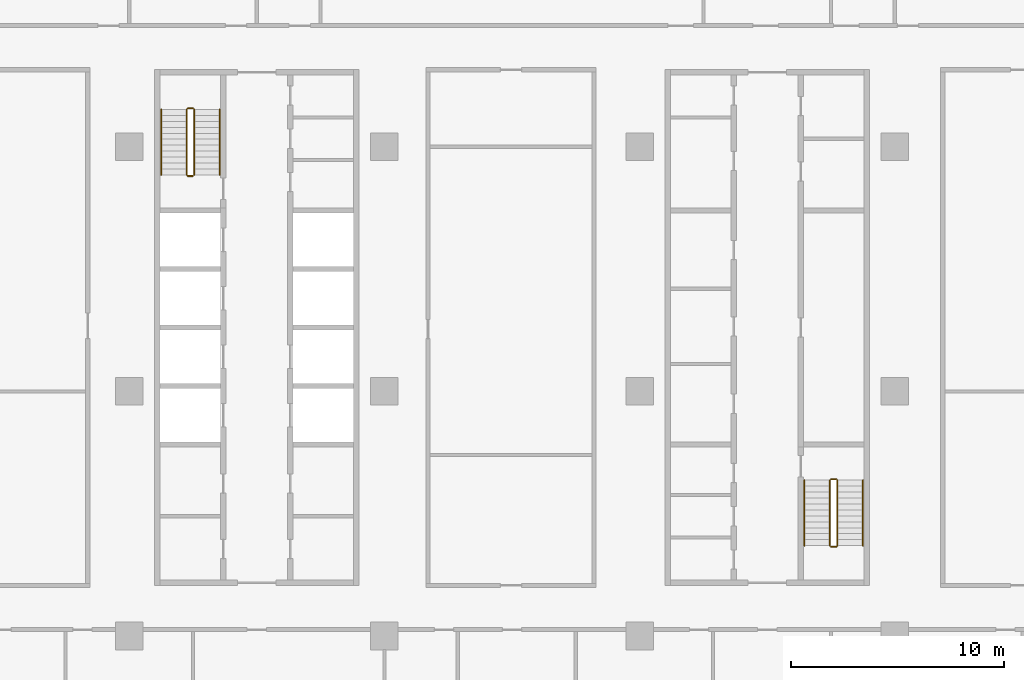
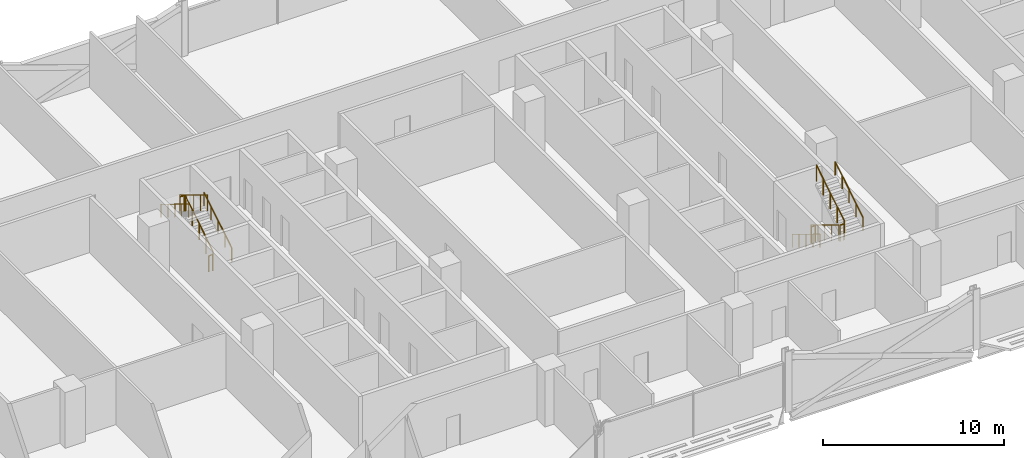
# One storey, part 26 of 29: 12 railings.
"""IFC4 building model written with IfcOpenShell, lengths in metres."""

from ifc_helpers import new_model, si_unit, direction, frame, origin, origin_2d, place, context, subcontext, project, spatial, circle, extrude, material, type_object, element, save


model = new_model("IFC4")

# Units and contexts
model_context = context("Model", 3, precision=1e-05, world=origin(), true_north=direction((0.0, 1.0)))
body_context = subcontext(model_context, "Body", "Model", "MODEL_VIEW")
ifc_project = project(units=[si_unit("LENGTHUNIT", "METRE"), si_unit("AREAUNIT", "SQUARE_METRE"), si_unit("VOLUMEUNIT", "CUBIC_METRE"), si_unit("PLANEANGLEUNIT", "RADIAN"), si_unit("MASSUNIT", "GRAM", prefix="KILO")], contexts=[model_context])

# Site, building, storey
site_placement = place(None, origin())
site = spatial("IfcSite", under=ifc_project, at=site_placement, CompositionType="ELEMENT")
building_placement = place(site_placement, origin())
building = spatial("IfcBuilding", under=site, at=building_placement, Name="Mahtab Terrace Research Tower", CompositionType="ELEMENT")
storey_placement = place(building_placement, frame((0.0, 0.0, 146.60009765625)))
storey = spatial("IfcBuildingStorey", under=building, at=storey_placement, Name="L34", CompositionType="ELEMENT", Elevation=146.60009765625)

# Railings
ifc_material = material(Name="Stainless steel AISI 304", Category="steel")
railing_type_1 = type_object("IfcRailingType", Name="Stair guard 1100", PredefinedType="GUARDRAIL", material=ifc_material)
railing_1_placement = place(storey_placement, frame((-26.949951171875, 10.175048828125, 0.170654296875)))
element("IfcRailing", 1, at=railing_1_placement, inside=storey, type_object=railing_type_1, Name="L34 ST1 stair guard 1", PredefinedType="GUARDRAIL", context=body_context, shape_type="SweptSolid", body=[
    extrude(circle(Radius=0.02392578125, at=origin_2d()), frame((0.0, 0.0, 1.076171875), z_axis=(0.0, 0.853647949592, 0.520850437417), x_axis=(-1.0, 0.0, 0.0)), (0.0, 0.0, 1.0), 3.60791015625),
    extrude(circle(Radius=0.02099609375, at=origin_2d()), origin(), (0.0, 0.0, 1.0), 1.052001953125),
    extrude(circle(Radius=0.02099609375, at=origin_2d()), frame((0.0, 0.77001953125, 0.4697265625)), (0.0, 0.0, 1.0), 1.052001953125),
    extrude(circle(Radius=0.02099609375, at=origin_2d()), frame((0.0, 1.5400390625, 0.939453125)), (0.0, 0.0, 1.0), 1.052001953125),
    extrude(circle(Radius=0.02099609375, at=origin_2d()), frame((0.0, 2.309814453125, 1.409423828125)), (0.0, 0.0, 1.0), 1.052001953125),
    extrude(circle(Radius=0.02099609375, at=origin_2d()), frame((0.0, 3.079833984375, 1.879150390625)), (0.0, 0.0, 1.0), 1.052001953125),
])
railing_2_placement = place(storey_placement, frame((-27.0, 13.304931640625, 2.0498046875)))
element("IfcRailing", 2, at=railing_2_placement, inside=storey, type_object=railing_type_1, Name="L34 ST1 stair guard 2", PredefinedType="GUARDRAIL", context=body_context, shape_type="SweptSolid", body=[
    extrude(circle(Radius=0.02392578125, at=origin_2d()), frame((0.0, 0.0, 1.076171875), z_axis=(-1.0, 0.0, 0.0), x_axis=(0.0, -1.0, 0.0)), (0.0, 0.0, 1.0), 0.25),
    extrude(circle(Radius=0.02099609375, at=origin_2d()), origin(), (0.0, 0.0, 1.0), 1.052001953125),
    extrude(circle(Radius=0.02099609375, at=origin_2d()), frame((-0.25, 0.0, 0.0)), (0.0, 0.0, 1.0), 1.052001953125),
])
railing_3_placement = place(storey_placement, frame((-27.300048828125, 13.2548828125, 2.220703125)))
element("IfcRailing", 3, at=railing_3_placement, inside=storey, type_object=railing_type_1, Name="L34 ST1 stair guard 3", PredefinedType="GUARDRAIL", context=body_context, shape_type="SweptSolid", body=[
    extrude(circle(Radius=0.02392578125, at=origin_2d()), frame((0.0, 0.0, 1.076171875), z_axis=(0.0, -0.853647949592, 0.520850437417), x_axis=(1.0, 0.0, 0.0)), (0.0, 0.0, 1.0), 3.60791015625),
    extrude(circle(Radius=0.02099609375, at=origin_2d()), origin(), (0.0, 0.0, 1.0), 1.052001953125),
    extrude(circle(Radius=0.02099609375, at=origin_2d()), frame((0.0, -0.77001953125, 0.4697265625)), (0.0, 0.0, 1.0), 1.052001953125),
    extrude(circle(Radius=0.02099609375, at=origin_2d()), frame((0.0, -1.5400390625, 0.939453125)), (0.0, 0.0, 1.0), 1.052001953125),
    extrude(circle(Radius=0.02099609375, at=origin_2d()), frame((0.0, -2.309814453125, 1.409423828125)), (0.0, 0.0, 1.0), 1.052001953125),
    extrude(circle(Radius=0.02099609375, at=origin_2d()), frame((0.0, -3.079833984375, 1.879150390625)), (0.0, 0.0, 1.0), 1.052001953125),
])
railing_4_placement = place(storey_placement, frame((-27.0, 10.125, 0.0)))
element("IfcRailing", 4, at=railing_4_placement, inside=storey, type_object=railing_type_1, Name="L34 ST1 stair guard 4", PredefinedType="GUARDRAIL", context=body_context, shape_type="SweptSolid", body=[
    extrude(circle(Radius=0.02392578125, at=origin_2d()), frame((0.0, 0.0, 1.076171875), z_axis=(-1.0, 0.0, 0.0), x_axis=(0.0, -1.0, 0.0)), (0.0, 0.0, 1.0), 0.25),
    extrude(circle(Radius=0.02099609375, at=origin_2d()), origin(), (0.0, 0.0, 1.0), 1.052001953125),
    extrude(circle(Radius=0.02099609375, at=origin_2d()), frame((-0.25, 0.0, 0.0)), (0.0, 0.0, 1.0), 1.052001953125),
])
railing_5_placement = place(storey_placement, frame((2.949951171875, -4.175048828125, 0.170654296875)))
element("IfcRailing", 5, at=railing_5_placement, inside=storey, type_object=railing_type_1, Name="L34 ST2 stair guard 1", PredefinedType="GUARDRAIL", context=body_context, shape_type="SweptSolid", body=[
    extrude(circle(Radius=0.02392578125, at=origin_2d()), frame((0.0, 0.0, 1.076171875), z_axis=(0.0, -0.853647949592, 0.520850437417), x_axis=(1.0, 0.0, 0.0)), (0.0, 0.0, 1.0), 3.60791015625),
    extrude(circle(Radius=0.02099609375, at=origin_2d()), origin(), (0.0, 0.0, 1.0), 1.052001953125),
    extrude(circle(Radius=0.02099609375, at=origin_2d()), frame((0.0, -0.77001953125, 0.4697265625)), (0.0, 0.0, 1.0), 1.052001953125),
    extrude(circle(Radius=0.02099609375, at=origin_2d()), frame((0.0, -1.5400390625, 0.939453125)), (0.0, 0.0, 1.0), 1.052001953125),
    extrude(circle(Radius=0.02099609375, at=origin_2d()), frame((0.0, -2.309814453125, 1.409423828125)), (0.0, 0.0, 1.0), 1.052001953125),
    extrude(circle(Radius=0.02099609375, at=origin_2d()), frame((0.0, -3.079833984375, 1.879150390625)), (0.0, 0.0, 1.0), 1.052001953125),
])
railing_6_placement = place(storey_placement, frame((3.0, -7.304931640625, 2.0498046875)))
element("IfcRailing", 6, at=railing_6_placement, inside=storey, type_object=railing_type_1, Name="L34 ST2 stair guard 2", PredefinedType="GUARDRAIL", context=body_context, shape_type="SweptSolid", body=[
    extrude(circle(Radius=0.02392578125, at=origin_2d()), frame((0.0, 0.0, 1.076171875), z_axis=(1.0, 0.0, 0.0), x_axis=(0.0, 1.0, 0.0)), (0.0, 0.0, 1.0), 0.25),
    extrude(circle(Radius=0.02099609375, at=origin_2d()), origin(), (0.0, 0.0, 1.0), 1.052001953125),
    extrude(circle(Radius=0.02099609375, at=origin_2d()), frame((0.25, 0.0, 0.0)), (0.0, 0.0, 1.0), 1.052001953125),
])
railing_7_placement = place(storey_placement, frame((3.300048828125, -7.2548828125, 2.220703125)))
element("IfcRailing", 7, at=railing_7_placement, inside=storey, type_object=railing_type_1, Name="L34 ST2 stair guard 3", PredefinedType="GUARDRAIL", context=body_context, shape_type="SweptSolid", body=[
    extrude(circle(Radius=0.02392578125, at=origin_2d()), frame((0.0, 0.0, 1.076171875), z_axis=(0.0, 0.853647949592, 0.520850437417), x_axis=(-1.0, 0.0, 0.0)), (0.0, 0.0, 1.0), 3.60791015625),
    extrude(circle(Radius=0.02099609375, at=origin_2d()), origin(), (0.0, 0.0, 1.0), 1.052001953125),
    extrude(circle(Radius=0.02099609375, at=origin_2d()), frame((0.0, 0.77001953125, 0.4697265625)), (0.0, 0.0, 1.0), 1.052001953125),
    extrude(circle(Radius=0.02099609375, at=origin_2d()), frame((0.0, 1.5400390625, 0.939453125)), (0.0, 0.0, 1.0), 1.052001953125),
    extrude(circle(Radius=0.02099609375, at=origin_2d()), frame((0.0, 2.309814453125, 1.409423828125)), (0.0, 0.0, 1.0), 1.052001953125),
    extrude(circle(Radius=0.02099609375, at=origin_2d()), frame((0.0, 3.079833984375, 1.879150390625)), (0.0, 0.0, 1.0), 1.052001953125),
])
railing_8_placement = place(storey_placement, frame((3.0, -4.125, 0.0)))
element("IfcRailing", 8, at=railing_8_placement, inside=storey, type_object=railing_type_1, Name="L34 ST2 stair guard 4", PredefinedType="GUARDRAIL", context=body_context, shape_type="SweptSolid", body=[
    extrude(circle(Radius=0.02392578125, at=origin_2d()), frame((0.0, 0.0, 1.076171875), z_axis=(1.0, 0.0, 0.0), x_axis=(0.0, 1.0, 0.0)), (0.0, 0.0, 1.0), 0.25),
    extrude(circle(Radius=0.02099609375, at=origin_2d()), origin(), (0.0, 0.0, 1.0), 1.052001953125),
    extrude(circle(Radius=0.02099609375, at=origin_2d()), frame((0.25, 0.0, 0.0)), (0.0, 0.0, 1.0), 1.052001953125),
])
railing_type_2 = type_object("IfcRailingType", Name="Stair handrail 900", PredefinedType="HANDRAIL", material=ifc_material)
railing_9_placement = place(storey_placement, frame((-25.75, 10.175048828125, 0.170654296875)))
element("IfcRailing", 9, at=railing_9_placement, inside=storey, type_object=railing_type_2, Name="L34 ST1 stair handrail 1", PredefinedType="HANDRAIL", context=body_context, shape_type="SweptSolid", body=[
    extrude(circle(Radius=0.02392578125, at=origin_2d()), frame((0.0, 0.0, 0.8759765625), z_axis=(0.0, 0.853647949592, 0.520850437417), x_axis=(-1.0, 0.0, 0.0)), (0.0, 0.0, 1.0), 3.60791015625),
    extrude(circle(Radius=0.02099609375, at=origin_2d()), origin(), (0.0, 0.0, 1.0), 0.851806640625),
    extrude(circle(Radius=0.02099609375, at=origin_2d()), frame((0.0, 0.77001953125, 0.4697265625)), (0.0, 0.0, 1.0), 0.851806640625),
    extrude(circle(Radius=0.02099609375, at=origin_2d()), frame((0.0, 1.5400390625, 0.939453125)), (0.0, 0.0, 1.0), 0.851806640625),
    extrude(circle(Radius=0.02099609375, at=origin_2d()), frame((0.0, 2.309814453125, 1.409423828125)), (0.0, 0.0, 1.0), 0.851806640625),
    extrude(circle(Radius=0.02099609375, at=origin_2d()), frame((0.0, 3.079833984375, 1.879150390625)), (0.0, 0.0, 1.0), 0.851806640625),
])
for number, where, name in (
    (10, (-28.5, 13.2548828125, 2.220703125), "L34 ST1 stair handrail 2"),
    (11, (1.75, -4.175048828125, 0.170654296875), "L34 ST2 stair handrail 1"),
):
    element("IfcRailing", number, at=place(storey_placement, frame(where)), inside=storey, type_object=railing_type_2, Name=name, PredefinedType="HANDRAIL", context=body_context, shape_type="SweptSolid", body=[
        extrude(circle(Radius=0.02392578125, at=origin_2d()), frame((0.0, 0.0, 0.8759765625), z_axis=(0.0, -0.853647949592, 0.520850437417), x_axis=(1.0, 0.0, 0.0)), (0.0, 0.0, 1.0), 3.60791015625),
        extrude(circle(Radius=0.02099609375, at=origin_2d()), origin(), (0.0, 0.0, 1.0), 0.851806640625),
        extrude(circle(Radius=0.02099609375, at=origin_2d()), frame((0.0, -0.77001953125, 0.4697265625)), (0.0, 0.0, 1.0), 0.851806640625),
        extrude(circle(Radius=0.02099609375, at=origin_2d()), frame((0.0, -1.5400390625, 0.939453125)), (0.0, 0.0, 1.0), 0.851806640625),
        extrude(circle(Radius=0.02099609375, at=origin_2d()), frame((0.0, -2.309814453125, 1.409423828125)), (0.0, 0.0, 1.0), 0.851806640625),
        extrude(circle(Radius=0.02099609375, at=origin_2d()), frame((0.0, -3.079833984375, 1.879150390625)), (0.0, 0.0, 1.0), 0.851806640625),
    ])
railing_10_placement = place(storey_placement, frame((4.5, -7.2548828125, 2.220703125)))
element("IfcRailing", 12, at=railing_10_placement, inside=storey, type_object=railing_type_2, Name="L34 ST2 stair handrail 2", PredefinedType="HANDRAIL", context=body_context, shape_type="SweptSolid", body=[
    extrude(circle(Radius=0.02392578125, at=origin_2d()), frame((0.0, 0.0, 0.8759765625), z_axis=(0.0, 0.853647949592, 0.520850437417), x_axis=(-1.0, 0.0, 0.0)), (0.0, 0.0, 1.0), 3.60791015625),
    extrude(circle(Radius=0.02099609375, at=origin_2d()), origin(), (0.0, 0.0, 1.0), 0.851806640625),
    extrude(circle(Radius=0.02099609375, at=origin_2d()), frame((0.0, 0.77001953125, 0.4697265625)), (0.0, 0.0, 1.0), 0.851806640625),
    extrude(circle(Radius=0.02099609375, at=origin_2d()), frame((0.0, 1.5400390625, 0.939453125)), (0.0, 0.0, 1.0), 0.851806640625),
    extrude(circle(Radius=0.02099609375, at=origin_2d()), frame((0.0, 2.309814453125, 1.409423828125)), (0.0, 0.0, 1.0), 0.851806640625),
    extrude(circle(Radius=0.02099609375, at=origin_2d()), frame((0.0, 3.079833984375, 1.879150390625)), (0.0, 0.0, 1.0), 0.851806640625),
])

save(model, "model.ifc")
